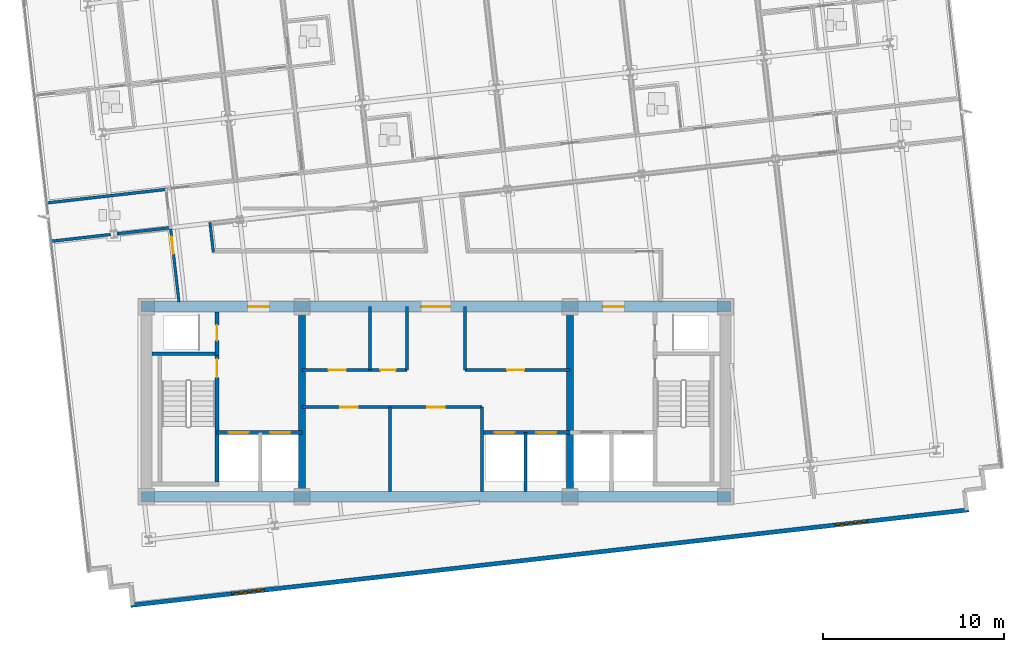
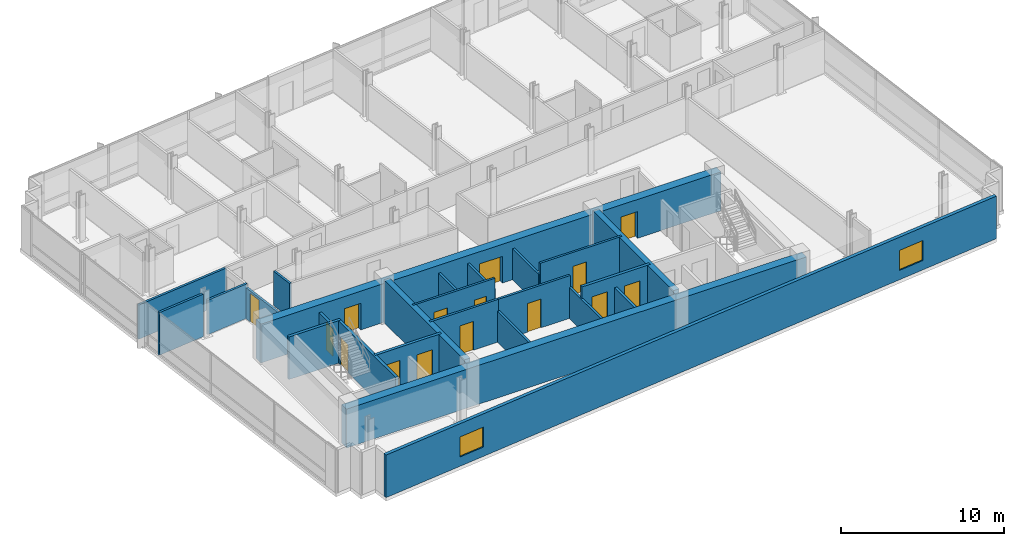
# One storey, part 9 of 16: 25 walls, 15 doors, 2 windows, 17 openings.
"""IFC4 building model written with IfcOpenShell, lengths in metres."""

from ifc_helpers import new_model, si_unit, direction, frame, frame_2d, origin, place, context, subcontext, project, spatial, rectangle, extrude, material, layer, layer_set, type_object, element, fill, save


model = new_model("IFC4")

# Units and contexts
model_context = context("Model", 3, precision=1e-05, world=origin(), true_north=direction((0.0, 1.0)))
body_context = subcontext(model_context, "Body", "Model", "MODEL_VIEW")
ifc_project = project(units=[si_unit("LENGTHUNIT", "METRE"), si_unit("AREAUNIT", "SQUARE_METRE"), si_unit("VOLUMEUNIT", "CUBIC_METRE"), si_unit("PLANEANGLEUNIT", "RADIAN"), si_unit("MASSUNIT", "GRAM", prefix="KILO")], contexts=[model_context])

# Site, building, storey
site_placement = place(None, origin())
site = spatial("IfcSite", under=ifc_project, at=site_placement, CompositionType="ELEMENT")
building_placement = place(site_placement, origin())
building = spatial("IfcBuilding", under=site, at=building_placement, Name="Solmavex Isthmus Hotel", CompositionType="ELEMENT")
storey_placement = place(building_placement, frame((0.0, 0.0, 219.300048828125)))
storey = spatial("IfcBuildingStorey", under=building, at=storey_placement, Name="L59", CompositionType="ELEMENT", Elevation=219.300048828125)

# Wall, openings, windows
ifc_material_1 = material(Name="Precast Concrete C40/50", Category="concrete")
ifc_layer_1 = layer(ifc_material_1, 0.25)
ifc_layer_set_1 = layer_set([ifc_layer_1], Name="Precast Concrete C40/50")
wall_type_1 = type_object("IfcWallType", Name="EW-TWR-250", PredefinedType="STANDARD", material=ifc_layer_set_1)
wall_1_placement = place(storey_placement, frame((-16.86962890625, -18.99951171875, 0.0), z_axis=(0.0, 0.0, 1.0), x_axis=(0.993571588328, 0.113205560228, 0.0)))
wall_1 = element("IfcWall", 1, at=wall_1_placement, inside=storey, type_object=wall_type_1, Name="Tower Rear South Facade Wall L59", PredefinedType="STANDARD", context=body_context, shape_type="SweptSolid", body=[
    extrude(rectangle(XDim=46.60009765625, YDim=0.239990234375, at=frame_2d((23.300048828125, 0.0))), origin(), (0.0, 0.0, 1.0), 3.18994140625),
])
opening_1_placement = place(wall_1_placement, frame((5.6240234375, 0.0, 0.699951171875)))
opening_1 = element("IfcOpeningElement", 2, at=opening_1_placement, cuts=wall_1, Name="Opening WN-02", PredefinedType="OPENING", context=body_context, shape_type="SweptSolid", body=[
    extrude(rectangle(XDim=1.800048828125, YDim=1.5, at=frame_2d((0.89990234375, 0.75))), frame((0.0, 0.1298828125, 0.0), z_axis=(0.0, -1.0, 0.0), x_axis=(1.0, 0.0, 0.0)), (0.0, 0.0, 1.0), 0.260009765625),
])
opening_2_placement = place(wall_1_placement, frame((39.176025390625, 0.0, 0.699951171875)))
opening_2 = element("IfcOpeningElement", 3, at=opening_2_placement, cuts=wall_1, Name="Opening WN-02", PredefinedType="OPENING", context=body_context, shape_type="SweptSolid", body=[
    extrude(rectangle(XDim=1.800048828125, YDim=1.5, at=frame_2d((0.89990234375, 0.75))), frame((0.0, 0.1298828125, 0.0), z_axis=(0.0, -1.0, 0.0), x_axis=(1.0, 0.0, 0.0)), (0.0, 0.0, 1.0), 0.260009765625),
])
ifc_material_2 = material(Name="Clear low-E laminated glass", Category="glass")
window_type = type_object("IfcWindowType", Name="WIN-TWR-1800", PartitioningType="SINGLE_PANEL", PredefinedType="WINDOW", material=ifc_material_2)
window_1_placement = place(opening_1_placement, origin())
window_1 = element("IfcWindow", 4, at=window_1_placement, inside=storey, type_object=window_type, Name="South Facade Vision Window L59-S1", OverallHeight=1.5, OverallWidth=1.800048828125, PartitioningType="SINGLE_PANEL", PredefinedType="WINDOW", context=body_context, shape_type="SweptSolid", body=[
    extrude(rectangle(XDim=1.800048828125, YDim=1.5, at=frame_2d((0.89990234375, 0.75))), frame((0.0, 0.030029296875, 0.0), z_axis=(0.0, -1.0, 0.0), x_axis=(1.0, 0.0, 0.0)), (0.0, 0.0, 1.0), 0.06005859375),
])
fill(opening_1, window_1)
window_2_placement = place(opening_2_placement, origin())
window_2 = element("IfcWindow", 5, at=window_2_placement, inside=storey, type_object=window_type, Name="South Facade Vision Window L59-S2", OverallHeight=1.5, OverallWidth=1.800048828125, PartitioningType="SINGLE_PANEL", PredefinedType="WINDOW", context=body_context, shape_type="SweptSolid", body=[
    extrude(rectangle(XDim=1.800048828125, YDim=1.5, at=frame_2d((0.89990234375, 0.75))), frame((0.0, 0.030029296875, 0.0), z_axis=(0.0, -1.0, 0.0), x_axis=(1.0, 0.0, 0.0)), (0.0, 0.0, 1.0), 0.06005859375),
])
fill(opening_2, window_2)

# Wall, opening, door
ifc_material_3 = material(Name="Gypsum plasterboard lining", Category="gypsum")
ifc_layer_2 = layer(ifc_material_3, 0.159912109375)
ifc_layer_set_2 = layer_set([ifc_layer_2], Name="Gypsum plasterboard lining")
wall_type_2 = type_object("IfcWallType", Name="IW-COMP-160", PredefinedType="PARTITIONING", material=ifc_layer_set_2)
wall_2_placement = place(storey_placement, frame((-7.39990234375, -8.050048828125, 0.0), z_axis=(0.0, 0.0, 1.0), x_axis=(1.0, 0.0, 0.0)))
wall_2 = element("IfcWall", 6, at=wall_2_placement, inside=storey, type_object=wall_type_2, Name="Interior Partition Wall W-L59-REC-PLL-N", PredefinedType="PARTITIONING", context=body_context, shape_type="SweptSolid", body=[
    extrude(rectangle(XDim=4.849853515625, YDim=0.159912109375, at=frame_2d((2.4248046875, 0.0))), origin(), (0.0, 0.0, 1.0), 3.18994140625),
])
opening_3_placement = place(wall_2_placement, frame((2.125, 0.0, 0.0)))
opening_3 = element("IfcOpeningElement", 7, at=opening_3_placement, cuts=wall_2, Name="Opening ID-C095", PredefinedType="OPENING", context=body_context, shape_type="SweptSolid", body=[
    extrude(rectangle(XDim=0.949951171875, YDim=2.14990234375, at=frame_2d((0.47509765625, 1.074951171875))), frame((0.0, 0.08984375, 0.0), z_axis=(0.0, -1.0, 0.0), x_axis=(1.0, 0.0, 0.0)), (0.0, 0.0, 1.0), 0.179931640625),
])
ifc_material_4 = material(Name="Hardwood timber", Category="wood")
door_type_1 = type_object("IfcDoorType", Name="IDR-FD60-0950", OperationType="NOTDEFINED", PredefinedType="DOOR", material=ifc_material_4)
door_1_placement = place(opening_3_placement, origin())
door_1 = element("IfcDoor", 8, at=door_1_placement, inside=storey, type_object=door_type_1, Name="Linen Reserve Door L59", OperationType="SINGLE_SWING_LEFT", OverallHeight=2.14990234375, OverallWidth=0.949951171875, PredefinedType="DOOR", context=body_context, shape_type="SweptSolid", body=[
    extrude(rectangle(XDim=0.949951171875, YDim=2.14990234375, at=frame_2d((0.47509765625, 1.074951171875))), frame((0.0, 0.02490234375, 0.0), z_axis=(0.0, -1.0, 0.0), x_axis=(1.0, 0.0, 0.0)), (0.0, 0.0, 1.0), 0.050048828125),
])
fill(opening_3, door_1)

# Wall
wall_3_placement = place(storey_placement, frame((-2.550048828125, -12.699951171875, 0.0), z_axis=(0.0, 0.0, 1.0), x_axis=(0.0, 1.0, 0.0)))
element("IfcWall", 9, at=wall_3_placement, inside=storey, type_object=wall_type_2, Name="Interior Partition Wall W-L59-REC-PLL-E", PredefinedType="PARTITIONING", context=body_context, shape_type="SweptSolid", body=[
    extrude(rectangle(XDim=4.64990234375, YDim=0.159912109375, at=frame_2d((2.324951171875, 0.0))), origin(), (0.0, 0.0, 1.0), 2.324951171875),
])

# Wall, opening, door
wall_4_placement = place(storey_placement, frame((-2.550048828125, -8.050048828125, 0.0), z_axis=(0.0, 0.0, 1.0), x_axis=(1.0, 0.0, 0.0)))
wall_4 = element("IfcWall", 10, at=wall_4_placement, inside=storey, type_object=wall_type_2, Name="Interior Partition Wall W-L59-REC-PLM-N", PredefinedType="PARTITIONING", context=body_context, shape_type="SweptSolid", body=[
    extrude(rectangle(XDim=5.10009765625, YDim=0.159912109375, at=frame_2d((2.550048828125, 0.0))), origin(), (0.0, 0.0, 1.0), 3.18994140625),
])
opening_4_placement = place(wall_4_placement, frame((2.074951171875, 0.0, 0.0)))
opening_4 = element("IfcOpeningElement", 11, at=opening_4_placement, cuts=wall_4, Name="Opening ID-C095", PredefinedType="OPENING", context=body_context, shape_type="SweptSolid", body=[
    extrude(rectangle(XDim=0.949951171875, YDim=2.14990234375, at=frame_2d((0.47509765625, 1.074951171875))), frame((0.0, 0.08984375, 0.0), z_axis=(0.0, -1.0, 0.0), x_axis=(1.0, 0.0, 0.0)), (0.0, 0.0, 1.0), 0.179931640625),
])
door_2_placement = place(opening_4_placement, origin())
door_2 = element("IfcDoor", 12, at=door_2_placement, inside=storey, type_object=door_type_1, Name="Butler Store Door L59", OperationType="SINGLE_SWING_RIGHT", OverallHeight=2.14990234375, OverallWidth=0.949951171875, PredefinedType="DOOR", context=body_context, shape_type="SweptSolid", body=[
    extrude(rectangle(XDim=0.949951171875, YDim=2.14990234375, at=frame_2d((0.47509765625, 1.074951171875))), frame((0.0, 0.02490234375, 0.0), z_axis=(0.0, -1.0, 0.0), x_axis=(1.0, 0.0, 0.0)), (0.0, 0.0, 1.0), 0.050048828125),
])
fill(opening_4, door_2)

# Walls
wall_5_placement = place(storey_placement, frame((2.550048828125, -12.699951171875, 0.0), z_axis=(0.0, 0.0, 1.0), x_axis=(0.0, 1.0, 0.0)))
element("IfcWall", 13, at=wall_5_placement, inside=storey, type_object=wall_type_2, Name="Interior Partition Wall W-L59-REC-PLM-E", PredefinedType="PARTITIONING", context=body_context, shape_type="SweptSolid", body=[
    extrude(rectangle(XDim=4.64990234375, YDim=0.159912109375, at=frame_2d((2.324951171875, 0.0))), origin(), (0.0, 0.0, 1.0), 2.324951171875),
])
wall_6_placement = place(storey_placement, frame((-14.86865234375, 3.98486328125, 0.0), z_axis=(0.0, 0.0, 1.0), x_axis=(-0.993568743641, -0.113230524415, 0.0)))
element("IfcWall", 14, at=wall_6_placement, inside=storey, type_object=wall_type_2, Name="Interior Partition Wall W-L59-P033", PredefinedType="PARTITIONING", context=body_context, shape_type="SweptSolid", body=[
    extrude(rectangle(XDim=6.7099609375, YDim=0.159912109375, at=frame_2d((3.35498046875, 0.0))), origin(), (0.0, 0.0, 1.0), 2.557373046875),
])
wall_7_placement = place(storey_placement, frame((-17.97216796875, 1.4873046875, 0.0), z_axis=(0.0, 0.0, 1.0), x_axis=(-0.993575433752, -0.113171804991, 0.0)))
element("IfcWall", 15, at=wall_7_placement, inside=storey, type_object=wall_type_2, Name="Interior Partition Wall W-L59-P070", PredefinedType="PARTITIONING", context=body_context, shape_type="SweptSolid", body=[
    extrude(rectangle(XDim=3.34375, YDim=0.159912109375, at=frame_2d((1.671875, 0.0))), origin(), (0.0, 0.0, 1.0), 3.18994140625),
])
wall_8_placement = place(storey_placement, frame((-14.62744140625, 1.868408203125, 0.0), z_axis=(0.0, 0.0, 1.0), x_axis=(-0.993574646464, -0.113178716659, 0.0)))
element("IfcWall", 16, at=wall_8_placement, inside=storey, type_object=wall_type_2, Name="Interior Partition Wall W-L59-P071", PredefinedType="PARTITIONING", context=body_context, shape_type="SweptSolid", body=[
    extrude(rectangle(XDim=3.013427734375, YDim=0.159912109375, at=frame_2d((1.5068359375, 0.0))), origin(), (0.0, 0.0, 1.0), 2.572265625),
])

# Wall, openings, doors
ifc_layer_3 = layer(ifc_material_3, 0.14990234375)
ifc_layer_set_3 = layer_set([ifc_layer_3], Name="Gypsum plasterboard lining")
wall_type_3 = type_object("IfcWallType", Name="IW-CORR-150", PredefinedType="PARTITIONING", material=ifc_layer_set_3)
wall_9_placement = place(storey_placement, frame((-7.39990234375, -6.0, 0.0), z_axis=(0.0, 0.0, 1.0), x_axis=(1.0, 0.0, 0.0)))
wall_9 = element("IfcWall", 17, at=wall_9_placement, inside=storey, type_object=wall_type_3, Name="Interior Partition Wall W-L59-BOH-WS", PredefinedType="PARTITIONING", context=body_context, shape_type="SweptSolid", body=[
    extrude(rectangle(XDim=5.7998046875, YDim=0.14990234375, at=frame_2d((2.89990234375, 0.0))), origin(), (0.0, 0.0, 1.0), 3.18994140625),
])
opening_5_placement = place(wall_9_placement, frame((1.47509765625, 0.0, 0.0)))
opening_5 = element("IfcOpeningElement", 18, at=opening_5_placement, cuts=wall_9, Name="Opening ID-C095", PredefinedType="OPENING", context=body_context, shape_type="SweptSolid", body=[
    extrude(rectangle(XDim=0.949951171875, YDim=2.14990234375, at=frame_2d((0.47509765625, 1.074951171875))), frame((0.0, 0.0849609375, 0.0), z_axis=(0.0, -1.0, 0.0), x_axis=(1.0, 0.0, 0.0)), (0.0, 0.0, 1.0), 0.169921875),
])
opening_6_placement = place(wall_9_placement, frame((4.324951171875, 0.0, 0.0)))
opening_6 = element("IfcOpeningElement", 19, at=opening_6_placement, cuts=wall_9, Name="Opening ID-R085", PredefinedType="OPENING", context=body_context, shape_type="SweptSolid", body=[
    extrude(rectangle(XDim=0.85009765625, YDim=2.050048828125, at=frame_2d((0.425048828125, 1.02490234375))), frame((0.0, 0.0849609375, 0.0), z_axis=(0.0, -1.0, 0.0), x_axis=(1.0, 0.0, 0.0)), (0.0, 0.0, 1.0), 0.169921875),
])
ifc_material_5 = material(Name="Steel ASTM A500 Grade C", Category="steel")
door_type_2 = type_object("IfcDoorType", Name="IDR-FD60-0850", OperationType="NOTDEFINED", PredefinedType="DOOR", material=ifc_material_5)
door_3_placement = place(opening_6_placement, frame((0.85009765625, 0.0, 0.0), z_axis=(0.0, 0.0, 1.0), x_axis=(-1.0, 0.0, 0.0)))
door_3 = element("IfcDoor", 20, at=door_3_placement, inside=storey, type_object=door_type_2, Name="Cleaner Closet Door L59", OperationType="SINGLE_SWING_RIGHT", OverallHeight=2.050048828125, OverallWidth=0.85009765625, PredefinedType="DOOR", context=body_context, shape_type="SweptSolid", body=[
    extrude(rectangle(XDim=0.85009765625, YDim=2.050048828125, at=frame_2d((0.425048828125, 1.02490234375))), frame((0.0, 0.02490234375, 0.0), z_axis=(0.0, -1.0, 0.0), x_axis=(1.0, 0.0, 0.0)), (0.0, 0.0, 1.0), 0.050048828125),
])
fill(opening_6, door_3)
door_4_placement = place(opening_5_placement, frame((0.949951171875, 0.0, 0.0), z_axis=(0.0, 0.0, 1.0), x_axis=(-1.0, 0.0, 0.0)))
door_4 = element("IfcDoor", 21, at=door_4_placement, inside=storey, type_object=door_type_1, Name="Housekeeping Store Door L59", OperationType="SINGLE_SWING_LEFT", OverallHeight=2.14990234375, OverallWidth=0.949951171875, PredefinedType="DOOR", context=body_context, shape_type="SweptSolid", body=[
    extrude(rectangle(XDim=0.949951171875, YDim=2.14990234375, at=frame_2d((0.47509765625, 1.074951171875))), frame((0.0, 0.02490234375, 0.0), z_axis=(0.0, -1.0, 0.0), x_axis=(1.0, 0.0, 0.0)), (0.0, 0.0, 1.0), 0.050048828125),
])
fill(opening_5, door_4)

# Wall
wall_10_placement = place(storey_placement, frame((-1.60009765625, -6.0, 0.0), z_axis=(0.0, 0.0, 1.0), x_axis=(0.0, 1.0, 0.0)))
element("IfcWall", 22, at=wall_10_placement, inside=storey, type_object=wall_type_3, Name="Interior Partition Wall W-L59-BOH-WE", PredefinedType="PARTITIONING", context=body_context, shape_type="SweptSolid", body=[
    extrude(rectangle(XDim=3.5, YDim=0.14990234375, at=frame_2d((1.75, 0.0))), origin(), (0.0, 0.0, 1.0), 2.324951171875),
])

# Wall, opening, door
wall_11_placement = place(storey_placement, frame((1.60009765625, -6.0, 0.0), z_axis=(0.0, 0.0, 1.0), x_axis=(1.0, 0.0, 0.0)))
wall_11 = element("IfcWall", 23, at=wall_11_placement, inside=storey, type_object=wall_type_3, Name="Interior Partition Wall W-L59-BOH-ES", PredefinedType="PARTITIONING", context=body_context, shape_type="SweptSolid", body=[
    extrude(rectangle(XDim=5.7998046875, YDim=0.14990234375, at=frame_2d((2.89990234375, 0.0))), origin(), (0.0, 0.0, 1.0), 3.18994140625),
])
opening_7_placement = place(wall_11_placement, frame((2.324951171875, 0.0, 0.0)))
opening_7 = element("IfcOpeningElement", 24, at=opening_7_placement, cuts=wall_11, Name="Opening ID-C095", PredefinedType="OPENING", context=body_context, shape_type="SweptSolid", body=[
    extrude(rectangle(XDim=0.949951171875, YDim=2.14990234375, at=frame_2d((0.47509765625, 1.074951171875))), frame((0.0, 0.0849609375, 0.0), z_axis=(0.0, -1.0, 0.0), x_axis=(1.0, 0.0, 0.0)), (0.0, 0.0, 1.0), 0.169921875),
])
door_5_placement = place(opening_7_placement, frame((0.949951171875, 0.0, 0.0), z_axis=(0.0, 0.0, 1.0), x_axis=(-1.0, 0.0, 0.0)))
door_5 = element("IfcDoor", 25, at=door_5_placement, inside=storey, type_object=door_type_1, Name="Butler Pantry Door L59", OperationType="SINGLE_SWING_RIGHT", OverallHeight=2.14990234375, OverallWidth=0.949951171875, PredefinedType="DOOR", context=body_context, shape_type="SweptSolid", body=[
    extrude(rectangle(XDim=0.949951171875, YDim=2.14990234375, at=frame_2d((0.47509765625, 1.074951171875))), frame((0.0, 0.02490234375, 0.0), z_axis=(0.0, -1.0, 0.0), x_axis=(1.0, 0.0, 0.0)), (0.0, 0.0, 1.0), 0.050048828125),
])
fill(opening_7, door_5)

# Walls
wall_12_placement = place(storey_placement, frame((1.60009765625, -6.0, 0.0), z_axis=(0.0, 0.0, 1.0), x_axis=(0.0, 1.0, 0.0)))
element("IfcWall", 26, at=wall_12_placement, inside=storey, type_object=wall_type_3, Name="Interior Partition Wall W-L59-BOH-EW", PredefinedType="PARTITIONING", context=body_context, shape_type="SweptSolid", body=[
    extrude(rectangle(XDim=3.5, YDim=0.14990234375, at=frame_2d((1.75, 0.0))), origin(), (0.0, 0.0, 1.0), 2.324951171875),
])
wall_13_placement = place(storey_placement, frame((-12.48583984375, 2.15283203125, 0.0), z_axis=(0.0, 0.0, 1.0), x_axis=(0.113121752139, -0.993581133674, 0.0)))
element("IfcWall", 27, at=wall_13_placement, inside=storey, type_object=wall_type_3, Name="Interior Partition Wall W-L59-P013", PredefinedType="PARTITIONING", context=body_context, shape_type="SweptSolid", body=[
    extrude(rectangle(XDim=1.653076171875, YDim=0.14990234375, at=frame_2d((0.82666015625, 0.0))), origin(), (0.0, 0.0, 1.0), 2.572265625),
])

# Wall, opening, door
wall_14_placement = place(storey_placement, frame((-14.19970703125, -2.23974609375, 0.0), z_axis=(0.0, 0.0, 1.0), x_axis=(-0.11319839611, 0.993572404568, 0.0)))
wall_14 = element("IfcWall", 28, at=wall_14_placement, inside=storey, type_object=wall_type_3, Name="Interior Partition Wall W-L59-P018", PredefinedType="PARTITIONING", context=body_context, shape_type="SweptSolid", body=[
    extrude(rectangle(XDim=4.212158203125, YDim=0.14990234375, at=frame_2d((2.10595703125, 0.0))), origin(), (0.0, 0.0, 1.0), 2.324951171875),
])
opening_8_placement = place(wall_14_placement, frame((2.67236328125, 0.0, 0.0)))
opening_8 = element("IfcOpeningElement", 29, at=opening_8_placement, cuts=wall_14, Name="Opening ID-C095", PredefinedType="OPENING", context=body_context, shape_type="SweptSolid", body=[
    extrude(rectangle(XDim=0.949951171875, YDim=2.14990234375, at=frame_2d((0.47509765625, 1.074951171875))), frame((0.0, 0.0849609375, 0.0), z_axis=(0.0, -1.0, 0.0), x_axis=(1.0, 0.0, 0.0)), (0.0, 0.0, 1.0), 0.169921875),
])
door_6_placement = place(opening_8_placement, frame((0.949951171875, 0.0, 0.0), z_axis=(0.0, 0.0, 1.0), x_axis=(-1.0, 0.0, 0.0)))
door_6 = element("IfcDoor", 30, at=door_6_placement, inside=storey, type_object=door_type_1, Name="Executive Hospitality Lounge Door L59-21", OperationType="SINGLE_SWING_LEFT", OverallHeight=2.14990234375, OverallWidth=0.949951171875, PredefinedType="DOOR", context=body_context, shape_type="SweptSolid", body=[
    extrude(rectangle(XDim=0.949951171875, YDim=2.14990234375, at=frame_2d((0.47509765625, 1.074951171875))), frame((0.0, 0.02490234375, 0.0), z_axis=(0.0, -1.0, 0.0), x_axis=(1.0, 0.0, 0.0)), (0.0, 0.0, 1.0), 0.050048828125),
])
fill(opening_8, door_6)

# Walls
ifc_layer_4 = layer(ifc_material_3, 0.1201171875)
ifc_layer_set_4 = layer_set([ifc_layer_4], Name="Gypsum plasterboard lining")
wall_type_4 = type_object("IfcWallType", Name="IW-PART-120", PredefinedType="PARTITIONING", material=ifc_layer_set_4)
wall_15_placement = place(storey_placement, frame((-3.64990234375, -6.0, 0.0), z_axis=(0.0, 0.0, 1.0), x_axis=(0.0, 1.0, 0.0)))
element("IfcWall", 31, at=wall_15_placement, inside=storey, type_object=wall_type_4, Name="Interior Partition Wall W-L59-BOH-WM1", PredefinedType="PARTITIONING", context=body_context, shape_type="SweptSolid", body=[
    extrude(rectangle(XDim=3.5, YDim=0.14990234375, at=frame_2d((1.75, 0.0))), origin(), (0.0, 0.0, 1.0), 2.324951171875),
])
ifc_material_6 = material(Name="Concrete C40/50", Category="concrete")
ifc_layer_5 = layer(ifc_material_6, 0.179931640625)
ifc_layer_set_5 = layer_set([ifc_layer_5], Name="Concrete C40/50")
wall_type_5 = type_object("IfcWallType", Name="IW-SHAFT-180", PredefinedType="PARTITIONING", material=ifc_layer_set_5)
wall_16_placement = place(storey_placement, frame((4.949951171875, -12.699951171875, 0.0), z_axis=(0.0, 0.0, 1.0), x_axis=(0.0, 1.0, 0.0)))
element("IfcWall", 32, at=wall_16_placement, inside=storey, type_object=wall_type_5, Name="Interior Partition Wall W-L59-SH-PLH-M", PredefinedType="PARTITIONING", context=body_context, shape_type="SweptSolid", body=[
    extrude(rectangle(XDim=3.25, YDim=0.179931640625, at=frame_2d((1.625, 0.0))), origin(), (0.0, 0.0, 1.0), 2.324951171875),
])

# Wall, opening, door
ifc_layer_6 = layer(ifc_material_6, 0.199951171875)
ifc_layer_set_6 = layer_set([ifc_layer_6], Name="Concrete C40/50")
wall_type_6 = type_object("IfcWallType", Name="IW-SHAFT-200", PredefinedType="PARTITIONING", material=ifc_layer_set_6)
wall_17_placement = place(storey_placement, frame((-12.10009765625, -5.199951171875, 0.0), z_axis=(0.0, 0.0, 1.0), x_axis=(0.0, 1.0, 0.0)))
wall_17 = element("IfcWall", 33, at=wall_17_placement, inside=storey, type_object=wall_type_6, Name="Interior Partition Wall W-L59-RSW-E", PredefinedType="PARTITIONING", context=body_context, shape_type="SweptSolid", body=[
    extrude(rectangle(XDim=2.39990234375, YDim=0.199951171875, at=frame_2d((1.199951171875, 0.0))), origin(), (0.0, 0.0, 1.0), 2.324951171875),
])
opening_9_placement = place(wall_17_placement, frame((0.824951171875, 0.0, 0.0)))
opening_9 = element("IfcOpeningElement", 34, at=opening_9_placement, cuts=wall_17, Name="Opening ID-R085", PredefinedType="OPENING", context=body_context, shape_type="SweptSolid", body=[
    extrude(rectangle(XDim=0.85009765625, YDim=2.050048828125, at=frame_2d((0.425048828125, 1.02490234375))), frame((0.0, 0.10986328125, 0.0), z_axis=(0.0, -1.0, 0.0), x_axis=(1.0, 0.0, 0.0)), (0.0, 0.0, 1.0), 0.219970703125),
])
door_7_placement = place(opening_9_placement, origin())
door_7 = element("IfcDoor", 35, at=door_7_placement, inside=storey, type_object=door_type_2, Name="Electrical Riser Door L59", OperationType="SINGLE_SWING_RIGHT", OverallHeight=2.050048828125, OverallWidth=0.85009765625, PredefinedType="DOOR", context=body_context, shape_type="SweptSolid", body=[
    extrude(rectangle(XDim=0.85009765625, YDim=2.050048828125, at=frame_2d((0.425048828125, 1.02490234375))), frame((0.0, 0.02490234375, 0.0), z_axis=(0.0, -1.0, 0.0), x_axis=(1.0, 0.0, 0.0)), (0.0, 0.0, 1.0), 0.050048828125),
])
fill(opening_9, door_7)

# Wall, openings, doors
wall_18_placement = place(storey_placement, frame((-12.10009765625, -9.449951171875, 0.0), z_axis=(0.0, 0.0, 1.0), x_axis=(1.0, 0.0, 0.0)))
wall_18 = element("IfcWall", 36, at=wall_18_placement, inside=storey, type_object=wall_type_6, Name="Interior Partition Wall W-L59-FFLW-S", PredefinedType="PARTITIONING", context=body_context, shape_type="SweptSolid", body=[
    extrude(rectangle(XDim=4.7001953125, YDim=0.199951171875, at=frame_2d((2.35009765625, 0.0))), origin(), (0.0, 0.0, 1.0), 3.18994140625),
])
opening_10_placement = place(wall_18_placement, frame((0.64990234375, 0.0, 0.0)))
opening_10 = element("IfcOpeningElement", 37, at=opening_10_placement, cuts=wall_18, Name="Opening LD-FF", PredefinedType="OPENING", context=body_context, shape_type="SweptSolid", body=[
    extrude(rectangle(XDim=1.10009765625, YDim=2.199951171875, at=frame_2d((0.550048828125, 1.10009765625))), frame((0.0, 0.10986328125, 0.0), z_axis=(0.0, -1.0, 0.0), x_axis=(1.0, 0.0, 0.0)), (0.0, 0.0, 1.0), 0.219970703125),
])
opening_11_placement = place(wall_18_placement, frame((2.949951171875, 0.0, 0.0)))
opening_11 = element("IfcOpeningElement", 38, at=opening_11_placement, cuts=wall_18, Name="Opening LD-SV", PredefinedType="OPENING", context=body_context, shape_type="SweptSolid", body=[
    extrude(rectangle(XDim=1.10009765625, YDim=2.199951171875, at=frame_2d((0.550048828125, 1.10009765625))), frame((0.0, 0.10986328125, 0.0), z_axis=(0.0, -1.0, 0.0), x_axis=(1.0, 0.0, 0.0)), (0.0, 0.0, 1.0), 0.219970703125),
])
ifc_material_7 = material(Name="Stainless steel 316", Category="steel")
door_type_3 = type_object("IfcDoorType", Name="LDR-FF-1100", OperationType="NOTDEFINED", PredefinedType="DOOR", material=ifc_material_7)
door_8_placement = place(opening_10_placement, origin())
door_8 = element("IfcDoor", 39, at=door_8_placement, inside=storey, type_object=door_type_3, Name="Lift Landing Door FFL-1 L59", OperationType="SLIDING_TO_LEFT", OverallHeight=2.199951171875, OverallWidth=1.10009765625, PredefinedType="DOOR", context=body_context, shape_type="SweptSolid", body=[
    extrude(rectangle(XDim=1.10009765625, YDim=2.199951171875, at=frame_2d((0.550048828125, 1.10009765625))), frame((0.0, 0.02490234375, 0.0), z_axis=(0.0, -1.0, 0.0), x_axis=(1.0, 0.0, 0.0)), (0.0, 0.0, 1.0), 0.050048828125),
])
fill(opening_10, door_8)
door_type_4 = type_object("IfcDoorType", Name="LDR-SV-1100", OperationType="NOTDEFINED", PredefinedType="DOOR", material=ifc_material_7)
door_9_placement = place(opening_11_placement, origin())
door_9 = element("IfcDoor", 40, at=door_9_placement, inside=storey, type_object=door_type_4, Name="Lift Landing Door SVL-1 L59", OperationType="SLIDING_TO_RIGHT", OverallHeight=2.199951171875, OverallWidth=1.10009765625, PredefinedType="DOOR", context=body_context, shape_type="SweptSolid", body=[
    extrude(rectangle(XDim=1.10009765625, YDim=2.199951171875, at=frame_2d((0.550048828125, 1.10009765625))), frame((0.0, 0.02490234375, 0.0), z_axis=(0.0, -1.0, 0.0), x_axis=(1.0, 0.0, 0.0)), (0.0, 0.0, 1.0), 0.050048828125),
])
fill(opening_11, door_9)

wall_19_placement = place(storey_placement, frame((2.550048828125, -9.449951171875, 0.0), z_axis=(0.0, 0.0, 1.0), x_axis=(1.0, 0.0, 0.0)))
wall_19 = element("IfcWall", 41, at=wall_19_placement, inside=storey, type_object=wall_type_6, Name="Interior Partition Wall W-L59-SH-PLH", PredefinedType="PARTITIONING", context=body_context, shape_type="SweptSolid", body=[
    extrude(rectangle(XDim=4.849853515625, YDim=0.199951171875, at=frame_2d((2.4248046875, 0.0))), origin(), (0.0, 0.0, 1.0), 3.18994140625),
])
opening_12_placement = place(wall_19_placement, frame((0.699951171875, 0.0, 0.0)))
opening_12 = element("IfcOpeningElement", 42, at=opening_12_placement, cuts=wall_19, Name="Opening LD-PL", PredefinedType="OPENING", context=body_context, shape_type="SweptSolid", body=[
    extrude(rectangle(XDim=1.10009765625, YDim=2.199951171875, at=frame_2d((0.550048828125, 1.10009765625))), frame((0.0, 0.10986328125, 0.0), z_axis=(0.0, -1.0, 0.0), x_axis=(1.0, 0.0, 0.0)), (0.0, 0.0, 1.0), 0.219970703125),
])
opening_13_placement = place(wall_19_placement, frame((3.0, 0.0, 0.0)))
opening_13 = element("IfcOpeningElement", 43, at=opening_13_placement, cuts=wall_19, Name="Opening LD-PL", PredefinedType="OPENING", context=body_context, shape_type="SweptSolid", body=[
    extrude(rectangle(XDim=1.10009765625, YDim=2.199951171875, at=frame_2d((0.550048828125, 1.10009765625))), frame((0.0, 0.10986328125, 0.0), z_axis=(0.0, -1.0, 0.0), x_axis=(1.0, 0.0, 0.0)), (0.0, 0.0, 1.0), 0.219970703125),
])
door_type_5 = type_object("IfcDoorType", Name="LDR-PL-1100", OperationType="NOTDEFINED", PredefinedType="DOOR", material=ifc_material_7)
door_10_placement = place(opening_12_placement, origin())
door_10 = element("IfcDoor", 44, at=door_10_placement, inside=storey, type_object=door_type_5, Name="Lift Landing Door PLH1 L59", OperationType="SLIDING_TO_LEFT", OverallHeight=2.199951171875, OverallWidth=1.10009765625, PredefinedType="DOOR", context=body_context, shape_type="SweptSolid", body=[
    extrude(rectangle(XDim=1.10009765625, YDim=2.199951171875, at=frame_2d((0.550048828125, 1.10009765625))), frame((0.0, 0.02490234375, 0.0), z_axis=(0.0, -1.0, 0.0), x_axis=(1.0, 0.0, 0.0)), (0.0, 0.0, 1.0), 0.050048828125),
])
fill(opening_12, door_10)
door_11_placement = place(opening_13_placement, origin())
door_11 = element("IfcDoor", 45, at=door_11_placement, inside=storey, type_object=door_type_5, Name="Lift Landing Door PLH2 L59", OperationType="SLIDING_TO_LEFT", OverallHeight=2.199951171875, OverallWidth=1.10009765625, PredefinedType="DOOR", context=body_context, shape_type="SweptSolid", body=[
    extrude(rectangle(XDim=1.10009765625, YDim=2.199951171875, at=frame_2d((0.550048828125, 1.10009765625))), frame((0.0, 0.02490234375, 0.0), z_axis=(0.0, -1.0, 0.0), x_axis=(1.0, 0.0, 0.0)), (0.0, 0.0, 1.0), 0.050048828125),
])
fill(opening_13, door_11)

# Walls
ifc_material_8 = material(Name="Concrete C50/60", Category="concrete")
ifc_layer_7 = layer(ifc_material_8, 0.39990234375)
ifc_layer_set_7 = layer_set([ifc_layer_7], Name="Concrete C50/60")
wall_type_7 = type_object("IfcWallType", Name="WALL-CW-400H", PredefinedType="SHEAR", material=ifc_layer_set_7)
for number, where, z_axis, x_axis, name in (
    (46, (-7.39990234375, -12.699951171875, 0.0), (0.0, 0.0, 1.0), (0.0, 1.0, 0.0), "Core Cross Shear Wall C1 L59"),
    (47, (7.39990234375, -12.699951171875, 0.0), (0.0, 0.0, 1.0), (0.0, 1.0, 0.0), "Core Cross Shear Wall C2 L59"),
):
    element("IfcWall", number, at=place(storey_placement, frame(where, z_axis=z_axis, x_axis=x_axis)), inside=storey, type_object=wall_type_7, Name=name, PredefinedType="SHEAR", context=body_context, shape_type="SweptSolid", body=[
        extrude(rectangle(XDim=9.89990234375, YDim=0.39990234375, at=frame_2d((4.949951171875, 0.0))), origin(), (0.0, 0.0, 1.0), 3.18994140625),
    ])
ifc_layer_8 = layer(ifc_material_8, 0.60009765625)
ifc_layer_set_8 = layer_set([ifc_layer_8], Name="Concrete C50/60")
wall_type_8 = type_object("IfcWallType", Name="WALL-CW-600", PredefinedType="SHEAR", material=ifc_layer_set_8)
wall_20_placement = place(storey_placement, frame((-16.300048828125, -13.0, 0.0), z_axis=(0.0, 0.0, 1.0), x_axis=(1.0, 0.0, 0.0)))
element("IfcWall", 48, at=wall_20_placement, inside=storey, type_object=wall_type_8, Name="Core Shear Wall South L59", PredefinedType="SHEAR", context=body_context, shape_type="SweptSolid", body=[
    extrude(rectangle(XDim=32.60009765625, YDim=0.60009765625, at=frame_2d((16.300048828125, 0.0))), origin(), (0.0, 0.0, 1.0), 2.909912109375),
])

# Wall, openings, doors
wall_21_placement = place(storey_placement, frame((-16.300048828125, -2.5, 0.0), z_axis=(0.0, 0.0, 1.0), x_axis=(1.0, 0.0, 0.0)))
wall_21 = element("IfcWall", 49, at=wall_21_placement, inside=storey, type_object=wall_type_8, Name="Core Shear Wall North L59", PredefinedType="SHEAR", context=body_context, shape_type="SweptSolid", body=[
    extrude(rectangle(XDim=32.60009765625, YDim=0.60009765625, at=frame_2d((16.300048828125, 0.0))), origin(), (0.0, 0.0, 1.0), 2.909912109375),
])
opening_14_placement = place(wall_21_placement, frame((5.925048828125, 0.0, 0.0)))
opening_14 = element("IfcOpeningElement", 50, at=opening_14_placement, cuts=wall_21, Name="Opening ID-F915", PredefinedType="OPENING", context=body_context, shape_type="SweptSolid", body=[
    extrude(rectangle(XDim=1.14990234375, YDim=2.0, at=frame_2d((0.574951171875, 1.0))), frame((0.0, 0.31005859375, 0.0), z_axis=(0.0, -1.0, 0.0), x_axis=(1.0, 0.0, 0.0)), (0.0, 0.0, 1.0), 0.6201171875),
])
opening_15_placement = place(wall_21_placement, frame((15.5, 0.0, 0.0)))
opening_15 = element("IfcOpeningElement", 51, at=opening_15_placement, cuts=wall_21, Name="Opening ID-F960", PredefinedType="OPENING", context=body_context, shape_type="SweptSolid", body=[
    extrude(rectangle(XDim=1.60009765625, YDim=2.0, at=frame_2d((0.800048828125, 1.0))), frame((0.0, 0.31005859375, 0.0), z_axis=(0.0, -1.0, 0.0), x_axis=(1.0, 0.0, 0.0)), (0.0, 0.0, 1.0), 0.6201171875),
])
opening_16_placement = place(wall_21_placement, frame((25.52490234375, 0.0, 0.0)))
opening_16 = element("IfcOpeningElement", 52, at=opening_16_placement, cuts=wall_21, Name="Opening ID-F915", PredefinedType="OPENING", context=body_context, shape_type="SweptSolid", body=[
    extrude(rectangle(XDim=1.14990234375, YDim=2.0, at=frame_2d((0.574951171875, 1.0))), frame((0.0, 0.31005859375, 0.0), z_axis=(0.0, -1.0, 0.0), x_axis=(1.0, 0.0, 0.0)), (0.0, 0.0, 1.0), 0.6201171875),
])
door_type_6 = type_object("IfcDoorType", Name="IDR-FD90-1150C", OperationType="NOTDEFINED", PredefinedType="DOOR", material=ifc_material_5)
door_12_placement = place(opening_14_placement, origin())
door_12 = element("IfcDoor", 53, at=door_12_placement, inside=storey, type_object=door_type_6, Name="Firefighting Lobby West Exit Door L59", OperationType="SINGLE_SWING_LEFT", OverallHeight=2.0, OverallWidth=1.14990234375, PredefinedType="DOOR", context=body_context, shape_type="SweptSolid", body=[
    extrude(rectangle(XDim=1.14990234375, YDim=2.0, at=frame_2d((0.574951171875, 1.0))), frame((0.0, 0.02490234375, 0.0), z_axis=(0.0, -1.0, 0.0), x_axis=(1.0, 0.0, 0.0)), (0.0, 0.0, 1.0), 0.050048828125),
])
fill(opening_14, door_12)
door_13_placement = place(opening_16_placement, origin())
door_13 = element("IfcDoor", 54, at=door_13_placement, inside=storey, type_object=door_type_6, Name="Firefighting Lobby East Exit Door L59", OperationType="SINGLE_SWING_RIGHT", OverallHeight=2.0, OverallWidth=1.14990234375, PredefinedType="DOOR", context=body_context, shape_type="SweptSolid", body=[
    extrude(rectangle(XDim=1.14990234375, YDim=2.0, at=frame_2d((0.574951171875, 1.0))), frame((0.0, 0.02490234375, 0.0), z_axis=(0.0, -1.0, 0.0), x_axis=(1.0, 0.0, 0.0)), (0.0, 0.0, 1.0), 0.050048828125),
])
fill(opening_16, door_13)
door_type_7 = type_object("IfcDoorType", Name="IDR-FD90-1600C", OperationType="NOTDEFINED", PredefinedType="DOOR", material=ifc_material_5)
door_14_placement = place(opening_15_placement, origin())
door_14 = element("IfcDoor", 55, at=door_14_placement, inside=storey, type_object=door_type_7, Name="Central Lift Lobby Door L59", OperationType="DOUBLE_DOOR_SINGLE_SWING", OverallHeight=2.0, OverallWidth=1.60009765625, PredefinedType="DOOR", context=body_context, shape_type="SweptSolid", body=[
    extrude(rectangle(XDim=1.60009765625, YDim=2.0, at=frame_2d((0.800048828125, 1.0))), frame((0.0, 0.02490234375, 0.0), z_axis=(0.0, -1.0, 0.0), x_axis=(1.0, 0.0, 0.0)), (0.0, 0.0, 1.0), 0.050048828125),
])
fill(opening_15, door_14)

# Wall
ifc_layer_9 = layer(ifc_material_6, 0.199951171875)
ifc_layer_set_9 = layer_set([ifc_layer_9], Name="Concrete C40/50")
wall_type_9 = type_object("IfcWallType", Name="WALL-SW-200", PredefinedType="SOLIDWALL", material=ifc_layer_set_9)
wall_22_placement = place(storey_placement, frame((-15.699951171875, -5.10009765625, 0.0), z_axis=(0.0, 0.0, 1.0), x_axis=(1.0, 0.0, 0.0)))
element("IfcWall", 56, at=wall_22_placement, inside=storey, type_object=wall_type_9, Name="Stairwell Structural Wall SW-L59-ST1-N", PredefinedType="SOLIDWALL", context=body_context, shape_type="SweptSolid", body=[
    extrude(rectangle(XDim=3.699951171875, YDim=0.199951171875, at=frame_2d((1.85009765625, 0.0))), origin(), (0.0, 0.0, 1.0), 3.18994140625),
])

# Wall, opening, door
wall_23_placement = place(storey_placement, frame((-12.10009765625, -12.199951171875, 0.0), z_axis=(0.0, 0.0, 1.0), x_axis=(0.0, 1.0, 0.0)))
wall_23 = element("IfcWall", 57, at=wall_23_placement, inside=storey, type_object=wall_type_9, Name="Stairwell Structural Wall SW-L59-ST1-E", PredefinedType="SOLIDWALL", context=body_context, shape_type="SweptSolid", body=[
    extrude(rectangle(XDim=7.0, YDim=0.199951171875, at=frame_2d((3.5, 0.0))), origin(), (0.0, 0.0, 1.0), 3.18994140625),
])
opening_17_placement = place(wall_23_placement, frame((5.800048828125, 0.0, 0.0)))
opening_17 = element("IfcOpeningElement", 58, at=opening_17_placement, cuts=wall_23, Name="Opening ID-F100", PredefinedType="OPENING", context=body_context, shape_type="SweptSolid", body=[
    extrude(rectangle(XDim=1.0, YDim=2.10009765625, at=frame_2d((0.5, 1.050048828125))), frame((0.0, 0.10986328125, 0.0), z_axis=(0.0, -1.0, 0.0), x_axis=(1.0, 0.0, 0.0)), (0.0, 0.0, 1.0), 0.219970703125),
])
door_type_8 = type_object("IfcDoorType", Name="IDR-FD90-1000", OperationType="NOTDEFINED", PredefinedType="DOOR", material=ifc_material_5)
door_15_placement = place(opening_17_placement, frame((1.0, 0.0, 0.0), z_axis=(0.0, 0.0, 1.0), x_axis=(-1.0, 0.0, 0.0)))
door_15 = element("IfcDoor", 59, at=door_15_placement, inside=storey, type_object=door_type_8, Name="Stair ST-1 Fire Door L59", OperationType="SINGLE_SWING_LEFT", OverallHeight=2.10009765625, OverallWidth=1.0, PredefinedType="DOOR", context=body_context, shape_type="SweptSolid", body=[
    extrude(rectangle(XDim=1.0, YDim=2.10009765625, at=frame_2d((0.5, 1.050048828125))), frame((0.0, 0.02490234375, 0.0), z_axis=(0.0, -1.0, 0.0), x_axis=(1.0, 0.0, 0.0)), (0.0, 0.0, 1.0), 0.050048828125),
])
fill(opening_17, door_15)

save(model, "model.ifc")
